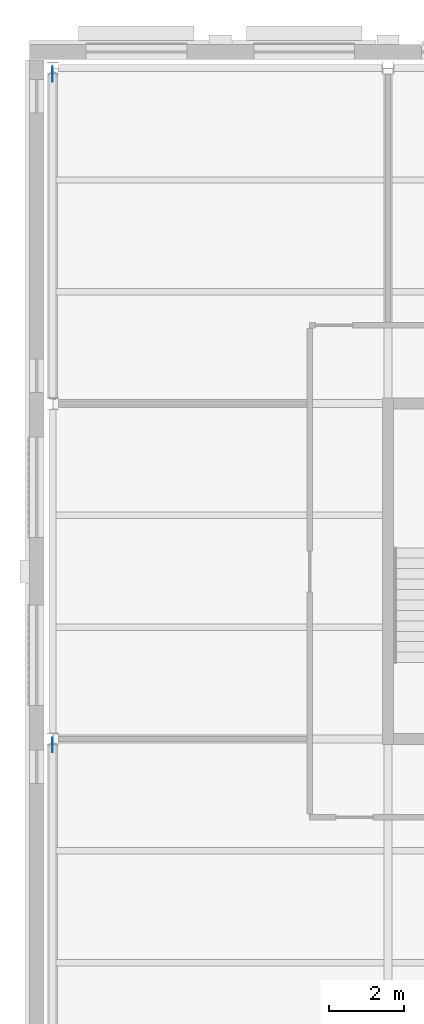
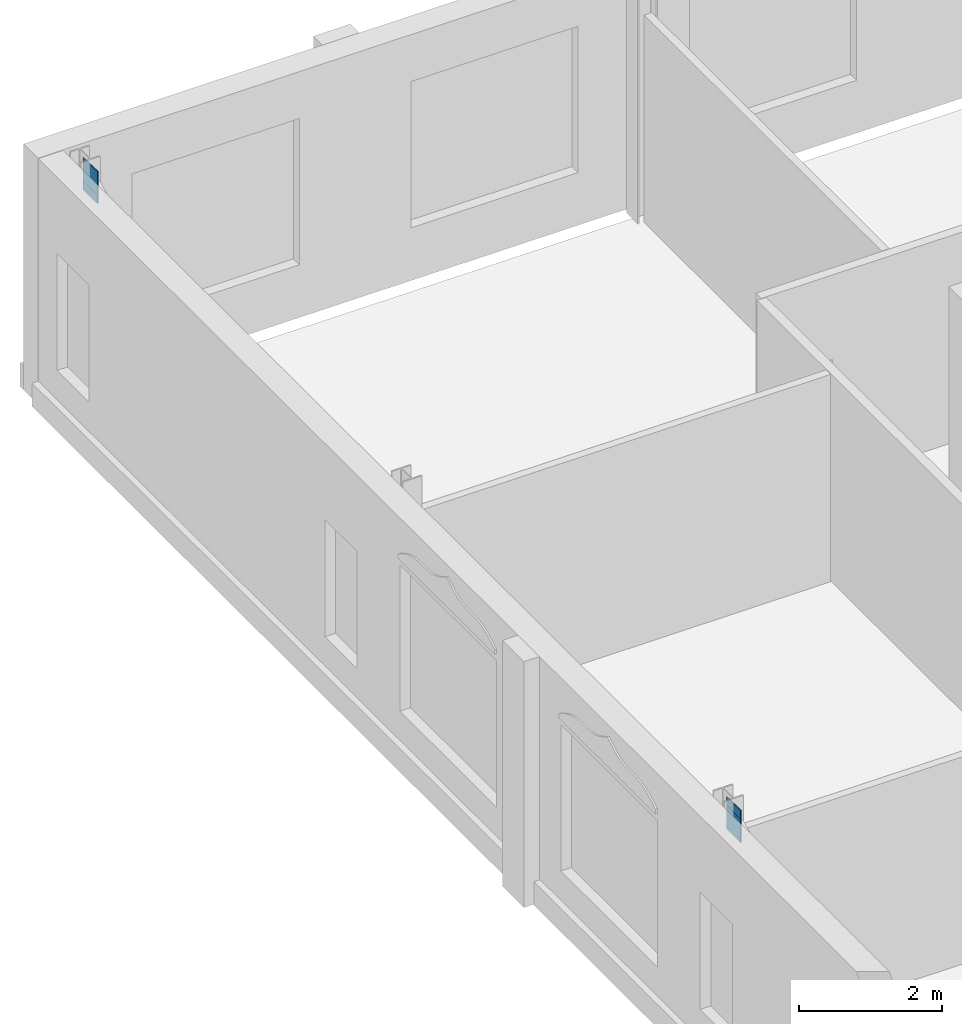
# One storey, part 6 of 9: 4 discrete accessories.
"""IFC4 building model written with IfcOpenShell, lengths in metres."""

from ifc_helpers import new_model, si_unit, direction, frame, origin, origin_2d, place, context, subcontext, project, spatial, rectangle, extrude, material, type_object, element, save


model = new_model("IFC4")

# Units and contexts
model_context = context("Model", 3, precision=1e-05, world=origin(), true_north=direction((0.0, 1.0)))
body_context = subcontext(model_context, "Body", "Model", "MODEL_VIEW")
ifc_project = project(units=[si_unit("LENGTHUNIT", "METRE"), si_unit("AREAUNIT", "SQUARE_METRE"), si_unit("VOLUMEUNIT", "CUBIC_METRE"), si_unit("PLANEANGLEUNIT", "RADIAN"), si_unit("MASSUNIT", "GRAM", prefix="KILO")], contexts=[model_context])

# Site, building, storey
site_placement = place(None, origin())
site = spatial("IfcSite", under=ifc_project, at=site_placement, CompositionType="ELEMENT")
building_placement = place(site_placement, origin())
building = spatial("IfcBuilding", under=site, at=building_placement, Name="Hortulan Conservatory and Botanical Research Centre", CompositionType="ELEMENT")
storey_placement = place(building_placement, frame((0.0, 0.0, 48.60009765625)))
storey = spatial("IfcBuildingStorey", under=building, at=storey_placement, Name="L11", CompositionType="ELEMENT", Elevation=48.60009765625)

# Discrete accessories
ifc_material = material(Name="Steel Grade 300 plate (AS/NZS 3678, 280 MPa minimum yield)", Category="steel")
discrete_accessory_type = type_object("IfcDiscreteAccessoryType", Name="End Plate 400x16", PredefinedType="BRACKET", material=ifc_material)
for number, where, z_axis, x_axis, name in (
    (1, (0.0, 8.839599609375, 3.566650390625), (0.0, 0.0, 1.0), (0.0, -1.0, 0.0), "Brace end plate"),
    (2, (0.0, 8.839599609375, 3.71630859375), (0.0, 0.0, 1.0), (0.0, -1.0, 0.0), "Brace end plate"),
    (3, (0.0, 26.839599609375, 3.566650390625), (0.0, 0.0, 1.0), (0.0, -1.0, 0.0), "Brace end plate"),
    (4, (0.0, 26.839599609375, 3.71630859375), (0.0, 0.0, 1.0), (0.0, -1.0, 0.0), "Brace end plate"),
):
    element("IfcDiscreteAccessory", number, at=place(storey_placement, frame(where, z_axis=z_axis, x_axis=x_axis)), inside=storey, type_object=discrete_accessory_type, Name=name, PredefinedType="BRACKET", context=body_context, shape_type="SweptSolid", body=[
        extrude(rectangle(XDim=0.39990234375, YDim=0.01611328125, at=origin_2d()), origin(), (0.0, 0.0, 1.0), 0.39990234375),
    ])

save(model, "model.ifc")
